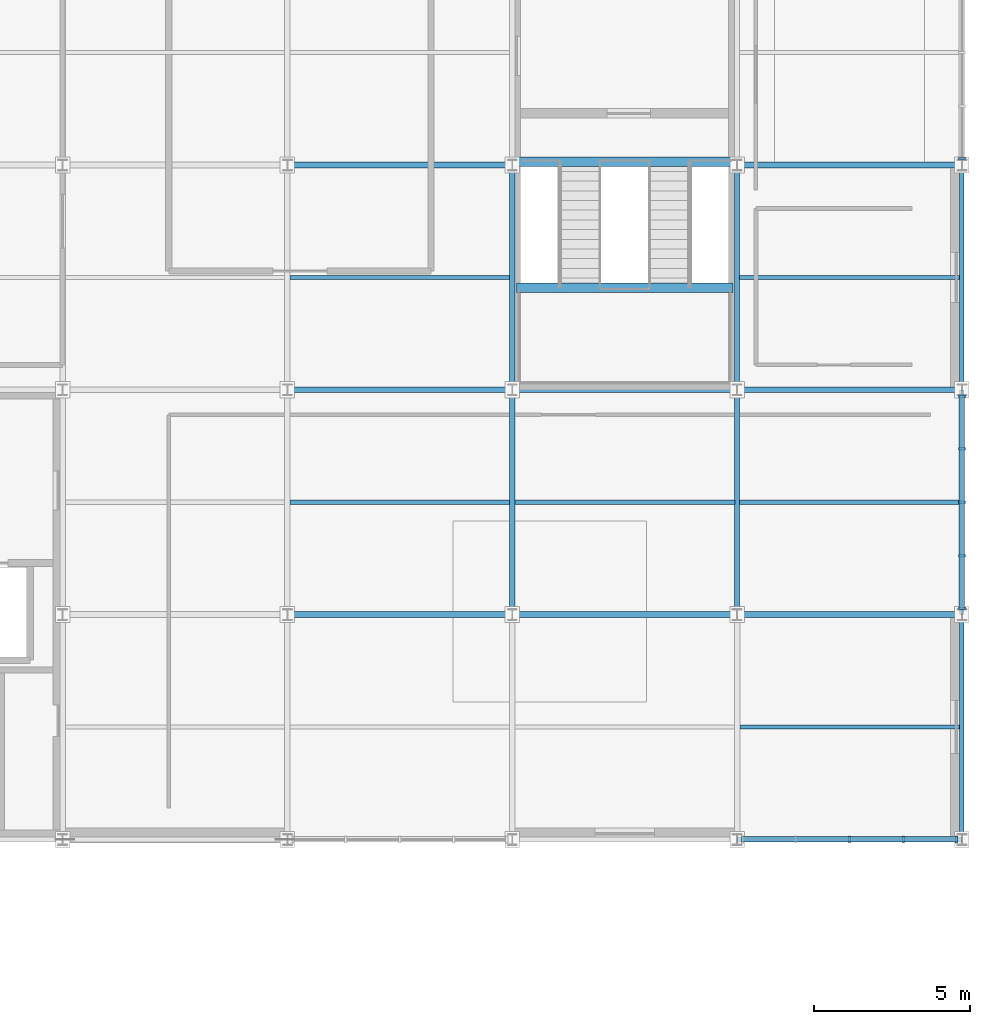
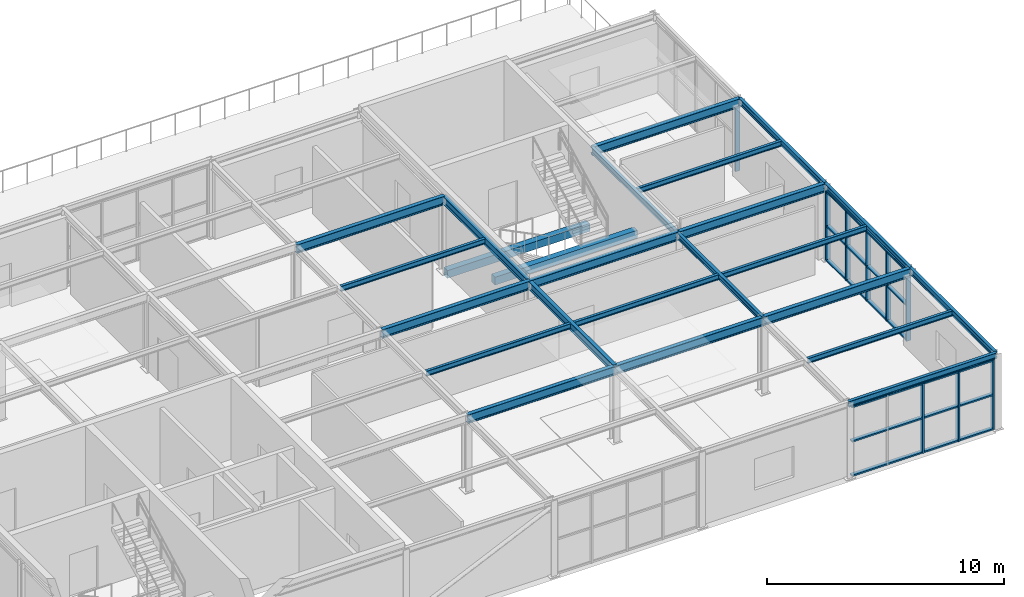
# One storey, part 12 of 30: 24 beams, 15 members, 3 elements without a shape of their own.
"""IFC4 building model written with IfcOpenShell, lengths in metres."""

from ifc_helpers import new_model, si_unit, direction, frame, origin, origin_2d, place, context, subcontext, project, spatial, rectangle, i_section, extrude, material, material_profile, profile_set, type_object, element, aggregate, save


model = new_model("IFC4")

# Units and contexts
model_context = context("Model", 3, precision=1e-05, world=origin(), true_north=direction((0.0, 1.0)))
body_context = subcontext(model_context, "Body", "Model", "MODEL_VIEW")
ifc_project = project(units=[si_unit("LENGTHUNIT", "METRE"), si_unit("AREAUNIT", "SQUARE_METRE"), si_unit("VOLUMEUNIT", "CUBIC_METRE"), si_unit("PLANEANGLEUNIT", "RADIAN"), si_unit("MASSUNIT", "GRAM", prefix="KILO")], contexts=[model_context])

# Site, building, storey
site_placement = place(None, origin())
site = spatial("IfcSite", under=ifc_project, at=site_placement, CompositionType="ELEMENT")
building_placement = place(site_placement, origin())
building = spatial("IfcBuilding", under=site, at=building_placement, Name="Leyfeld Transit Interchange", CompositionType="ELEMENT")
storey_placement = place(building_placement, frame((0.0, 0.0, 13.800048828125)))
storey = spatial("IfcBuildingStorey", under=building, at=storey_placement, Name="L03", CompositionType="ELEMENT", Elevation=13.800048828125)

# Beams
ifc_material_1 = material(Name="Concrete C35/45", Category="concrete")
ifc_material_profile_1 = material_profile(ifc_material_1, rectangle(XDim=0.300048828125, YDim=0.39990234375, at=origin_2d()), Name="RC 400x300")
ifc_profile_set_1 = profile_set([ifc_material_profile_1], Name="Concrete C35/45")
beam_type_1 = type_object("IfcBeamType", Name="BM-RC-400x300", PredefinedType="LINTEL", material=ifc_profile_set_1)
for number, where, z_axis, x_axis, name in (
    (1, (165.735107421875, 79.300048828125, -0.199951171875), (1.0, 0.0, 0.0), (0.0, 1.0, 0.0), "Core K5 Floor Landing Corbel L03"),
    (2, (165.735107421875, 75.27001953125, 1.89990234375), (1.0, 0.0, 0.0), (0.0, 1.0, 0.0), "Stair ST-05 L03 Half-Landing Corbel"),
):
    element("IfcBeam", number, at=place(storey_placement, frame(where, z_axis=z_axis, x_axis=x_axis)), inside=storey, type_object=beam_type_1, Name=name, PredefinedType="LINTEL", context=body_context, shape_type="SweptSolid", body=[
        extrude(rectangle(XDim=0.300048828125, YDim=0.39990234375, at=origin_2d()), origin(), (0.0, 0.0, 1.0), 6.929931640625),
    ])
ifc_material_2 = material(Name="Steel S355J2", Category="steel")
ifc_material_profile_2 = material_profile(ifc_material_2, i_section(OverallWidth=0.135009765625, OverallDepth=0.27001953125, WebThickness=0.006591796875, FlangeThickness=0.01025390625, FilletRadius=0.014892578125, at=origin_2d()), Name="IPE 270")
ifc_profile_set_2 = profile_set([ifc_material_profile_2], Name="Steel S355J2")
beam_type_2 = type_object("IfcBeamType", Name="BM-STL-IPE270", PredefinedType="BEAM", material=ifc_profile_set_2)
beam_1_placement = place(storey_placement, frame((158.487060546875, 68.39990234375, 3.784912109375), z_axis=(1.0, 0.0, 0.0), x_axis=(0.0, 1.0, 0.0)))
element("IfcBeam", 3, at=beam_1_placement, inside=storey, type_object=beam_type_2, Name="Beam BM-L03-1585_0684-1655_0684", PredefinedType="BEAM", context=body_context, shape_type="SweptSolid", body=[
    extrude(i_section(OverallWidth=0.135009765625, OverallDepth=0.27001953125, WebThickness=0.006591796875, FlangeThickness=0.01025390625, FilletRadius=0.014892578125, at=origin_2d()), origin(), (0.0, 0.0, 1.0), 7.02587890625),
])
beam_2_placement = place(storey_placement, frame((165.68701171875, 68.39990234375, 3.784912109375), z_axis=(1.0, 0.0, 0.0), x_axis=(0.0, 1.0, 0.0)))
element("IfcBeam", 4, at=beam_2_placement, inside=storey, type_object=beam_type_2, Name="Beam BM-L03-1657_0684-1727_0684", PredefinedType="BEAM", context=body_context, shape_type="SweptSolid", body=[
    extrude(i_section(OverallWidth=0.135009765625, OverallDepth=0.27001953125, WebThickness=0.006591796875, FlangeThickness=0.01025390625, FilletRadius=0.014892578125, at=origin_2d()), origin(), (0.0, 0.0, 1.0), 7.041015625),
])
beam_3_placement = place(storey_placement, frame((158.487060546875, 75.60009765625, 3.784912109375), z_axis=(1.0, 0.0, 0.0), x_axis=(0.0, 1.0, 0.0)))
element("IfcBeam", 5, at=beam_3_placement, inside=storey, type_object=beam_type_2, Name="Beam BM-L03-1585_0756-1655_0756", PredefinedType="BEAM", context=body_context, shape_type="SweptSolid", body=[
    extrude(i_section(OverallWidth=0.135009765625, OverallDepth=0.27001953125, WebThickness=0.006591796875, FlangeThickness=0.01025390625, FilletRadius=0.014892578125, at=origin_2d()), origin(), (0.0, 0.0, 1.0), 7.02587890625),
])
beam_4_placement = place(storey_placement, frame((172.886962890625, 61.199951171875, 3.764892578125), z_axis=(1.0, 0.0, 0.0), x_axis=(0.0, 1.0, 0.0)))
element("IfcBeam", 6, at=beam_4_placement, inside=storey, type_object=beam_type_2, Name="Beam BM-L03-1729_0612-1799_0612", PredefinedType="BEAM", context=body_context, shape_type="SweptSolid", body=[
    extrude(i_section(OverallWidth=0.135009765625, OverallDepth=0.27001953125, WebThickness=0.006591796875, FlangeThickness=0.01025390625, FilletRadius=0.014892578125, at=origin_2d()), origin(), (0.0, 0.0, 1.0), 7.041015625),
])
for number, where, z_axis, x_axis, name in (
    (7, (172.8720703125, 68.39990234375, 3.764892578125), (1.0, 0.0, 0.0), (0.0, 1.0, 0.0), "Beam BM-L03-1729_0684-1799_0684"),
    (8, (172.8720703125, 75.60009765625, 3.764892578125), (1.0, 0.0, 0.0), (0.0, 1.0, 0.0), "Beam BM-L03-1729_0756-1799_0756"),
):
    element("IfcBeam", number, at=place(storey_placement, frame(where, z_axis=z_axis, x_axis=x_axis)), inside=storey, type_object=beam_type_2, Name=name, PredefinedType="BEAM", context=body_context, shape_type="SweptSolid", body=[
        extrude(i_section(OverallWidth=0.135009765625, OverallDepth=0.27001953125, WebThickness=0.006591796875, FlangeThickness=0.01025390625, FilletRadius=0.014892578125, at=origin_2d()), origin(), (0.0, 0.0, 1.0), 7.055908203125),
    ])
ifc_material_profile_3 = material_profile(ifc_material_2, i_section(OverallWidth=0.14990234375, OverallDepth=0.300048828125, WebThickness=0.007080078125, FlangeThickness=0.0107421875, FilletRadius=0.014892578125, at=origin_2d()), Name="IPE 300")
ifc_profile_set_3 = profile_set([ifc_material_profile_3], Name="Steel S355J2")
beam_type_3 = type_object("IfcBeamType", Name="BM-STL-IPE300", PredefinedType="SPANDREL", material=ifc_profile_set_3)
for number, where, z_axis, x_axis, name in (
    (9, (172.800048828125, 64.800048828125, 3.75), (0.0, 1.0, 0.0), (-1.0, 0.0, 0.0), "Beam BM-L03-1728_0648-1728_0720"),
    (10, (172.800048828125, 72.0, 3.75), (0.0, 1.0, 0.0), (-1.0, 0.0, 0.0), "Beam BM-L03-1728_0720-1728_0792"),
    (11, (180.0, 57.60009765625, 3.75), (0.0, 1.0, 0.0), (-1.0, 0.0, 0.0), "Beam BM-L03-1800_0576-1800_0648"),
    (12, (180.0, 64.800048828125, 3.75), (0.0, 1.0, 0.0), (-1.0, 0.0, 0.0), "Beam BM-L03-1800_0648-1800_0720"),
    (13, (180.0, 72.0, 3.75), (0.0, 1.0, 0.0), (-1.0, 0.0, 0.0), "Beam BM-L03-1800_0720-1800_0792"),
    (14, (172.800048828125, 57.60009765625, 3.75), (1.0, 0.0, 0.0), (0.0, 1.0, 0.0), "Beam BM-L03-1728_0576-1800_0576"),
):
    element("IfcBeam", number, at=place(storey_placement, frame(where, z_axis=z_axis, x_axis=x_axis)), inside=storey, type_object=beam_type_3, Name=name, PredefinedType="SPANDREL", context=body_context, shape_type="SweptSolid", body=[
        extrude(i_section(OverallWidth=0.14990234375, OverallDepth=0.300048828125, WebThickness=0.007080078125, FlangeThickness=0.0107421875, FilletRadius=0.014892578125, at=origin_2d()), origin(), (0.0, 0.0, 1.0), 7.199951171875),
    ])
ifc_material_profile_4 = material_profile(ifc_material_2, i_section(OverallWidth=0.179931640625, OverallDepth=0.39990234375, WebThickness=0.008544921875, FlangeThickness=0.013427734375, FilletRadius=0.02099609375, at=origin_2d()), Name="IPE 400")
ifc_profile_set_4 = profile_set([ifc_material_profile_4], Name="Steel S355J2")
beam_type_4 = type_object("IfcBeamType", Name="BM-STL-IPE400", PredefinedType="BEAM", material=ifc_profile_set_4)
for number, where, z_axis, x_axis, name in (
    (15, (165.60009765625, 64.800048828125, 3.719970703125), (0.0, 1.0, 0.0), (-1.0, 0.0, 0.0), "Beam BM-L03-1656_0648-1656_0720"),
    (16, (165.60009765625, 72.0, 3.719970703125), (0.0, 1.0, 0.0), (-1.0, 0.0, 0.0), "Beam BM-L03-1656_0720-1656_0792"),
):
    element("IfcBeam", number, at=place(storey_placement, frame(where, z_axis=z_axis, x_axis=x_axis)), inside=storey, type_object=beam_type_4, Name=name, PredefinedType="BEAM", context=body_context, shape_type="SweptSolid", body=[
        extrude(i_section(OverallWidth=0.179931640625, OverallDepth=0.39990234375, WebThickness=0.008544921875, FlangeThickness=0.013427734375, FilletRadius=0.02099609375, at=origin_2d()), origin(), (0.0, 0.0, 1.0), 7.199951171875),
    ])
ifc_material_profile_5 = material_profile(ifc_material_2, i_section(OverallWidth=0.18994140625, OverallDepth=0.449951171875, WebThickness=0.009521484375, FlangeThickness=0.0146484375, FilletRadius=0.02099609375, at=origin_2d()), Name="IPE 450")
ifc_profile_set_5 = profile_set([ifc_material_profile_5], Name="Steel S355J2")
beam_type_5 = type_object("IfcBeamType", Name="BM-STL-IPE450", PredefinedType="BEAM", material=ifc_profile_set_5)
beam_5_placement = place(storey_placement, frame((158.39990234375, 64.800048828125, 3.675048828125), z_axis=(1.0, 0.0, 0.0), x_axis=(0.0, 1.0, 0.0)))
element("IfcBeam", 17, at=beam_5_placement, inside=storey, type_object=beam_type_5, Name="Beam BM-L03-1584_0648-1656_0648", PredefinedType="BEAM", context=body_context, shape_type="SweptSolid", body=[
    extrude(i_section(OverallWidth=0.18994140625, OverallDepth=0.449951171875, WebThickness=0.009521484375, FlangeThickness=0.0146484375, FilletRadius=0.02099609375, at=origin_2d()), origin(), (0.0, 0.0, 1.0), 7.2001953125),
])
beam_6_placement = place(storey_placement, frame((165.60009765625, 64.800048828125, 3.675048828125), z_axis=(1.0, 0.0, 0.0), x_axis=(0.0, 1.0, 0.0)))
element("IfcBeam", 18, at=beam_6_placement, inside=storey, type_object=beam_type_5, Name="Beam BM-L03-1656_0648-1728_0648", PredefinedType="BEAM", context=body_context, shape_type="SweptSolid", body=[
    extrude(i_section(OverallWidth=0.18994140625, OverallDepth=0.449951171875, WebThickness=0.009521484375, FlangeThickness=0.0146484375, FilletRadius=0.02099609375, at=origin_2d()), origin(), (0.0, 0.0, 1.0), 7.199951171875),
])
beam_7_placement = place(storey_placement, frame((158.39990234375, 72.0, 3.695068359375), z_axis=(1.0, 0.0, 0.0), x_axis=(0.0, 1.0, 0.0)))
element("IfcBeam", 19, at=beam_7_placement, inside=storey, type_object=beam_type_5, Name="Beam BM-L03-1584_0720-1656_0720", PredefinedType="BEAM", context=body_context, shape_type="SweptSolid", body=[
    extrude(i_section(OverallWidth=0.18994140625, OverallDepth=0.449951171875, WebThickness=0.009521484375, FlangeThickness=0.0146484375, FilletRadius=0.02099609375, at=origin_2d()), origin(), (0.0, 0.0, 1.0), 7.2001953125),
])
beam_8_placement = place(storey_placement, frame((165.60009765625, 72.0, 3.695068359375), z_axis=(1.0, 0.0, 0.0), x_axis=(0.0, 1.0, 0.0)))
element("IfcBeam", 20, at=beam_8_placement, inside=storey, type_object=beam_type_5, Name="Beam BM-L03-1656_0720-1728_0720", PredefinedType="BEAM", context=body_context, shape_type="SweptSolid", body=[
    extrude(i_section(OverallWidth=0.18994140625, OverallDepth=0.449951171875, WebThickness=0.009521484375, FlangeThickness=0.0146484375, FilletRadius=0.02099609375, at=origin_2d()), origin(), (0.0, 0.0, 1.0), 7.199951171875),
])
beam_9_placement = place(storey_placement, frame((158.39990234375, 79.199951171875, 3.695068359375), z_axis=(1.0, 0.0, 0.0), x_axis=(0.0, 1.0, 0.0)))
element("IfcBeam", 21, at=beam_9_placement, inside=storey, type_object=beam_type_5, Name="Beam BM-L03-1584_0792-1656_0792", PredefinedType="BEAM", context=body_context, shape_type="SweptSolid", body=[
    extrude(i_section(OverallWidth=0.18994140625, OverallDepth=0.449951171875, WebThickness=0.009521484375, FlangeThickness=0.0146484375, FilletRadius=0.02099609375, at=origin_2d()), origin(), (0.0, 0.0, 1.0), 7.2001953125),
])
for number, where, z_axis, x_axis, name in (
    (22, (172.800048828125, 64.800048828125, 3.675048828125), (1.0, 0.0, 0.0), (0.0, 1.0, 0.0), "Beam BM-L03-1728_0648-1800_0648"),
    (23, (172.800048828125, 72.0, 3.675048828125), (1.0, 0.0, 0.0), (0.0, 1.0, 0.0), "Beam BM-L03-1728_0720-1800_0720"),
    (24, (172.800048828125, 79.199951171875, 3.675048828125), (1.0, 0.0, 0.0), (0.0, 1.0, 0.0), "Beam BM-L03-1728_0792-1800_0792"),
):
    element("IfcBeam", number, at=place(storey_placement, frame(where, z_axis=z_axis, x_axis=x_axis)), inside=storey, type_object=beam_type_5, Name=name, PredefinedType="BEAM", context=body_context, shape_type="SweptSolid", body=[
        extrude(i_section(OverallWidth=0.18994140625, OverallDepth=0.449951171875, WebThickness=0.009521484375, FlangeThickness=0.0146484375, FilletRadius=0.02099609375, at=origin_2d()), origin(), (0.0, 0.0, 1.0), 7.199951171875),
    ])

# Curtain wall, member
ifc_material_3 = material(Name="Anodised aluminium EN AW-6060 T66", Category="aluminium")
curtain_wall_type = type_object("IfcCurtainWallType", Name="CW-SYS-BUS-7200", PredefinedType="NOTDEFINED", material=ifc_material_3)
curtain_wall_1_placement = place(storey_placement, origin())
curtain_wall_1 = element("IfcCurtainWall", 25, at=curtain_wall_1_placement, inside=storey, type_object=curtain_wall_type, Name="Curtain Wall CW-L03-131", PredefinedType="NOTDEFINED")
ifc_material_profile_6 = material_profile(ifc_material_3, rectangle(XDim=0.074951171875, YDim=0.219970703125, at=origin_2d()), Name="CW-M 75x220")
ifc_profile_set_6 = profile_set([ifc_material_profile_6], Name="Anodised aluminium EN AW-6060 T66")
member_type_1 = type_object("IfcMemberType", Name="CW-MUL-180x70", PredefinedType="MULLION", material=ifc_profile_set_6)
member_1_placement = place(storey_placement, frame((180.0, 79.407470703125, 0.0), z_axis=(0.0, 0.0, 1.0), x_axis=(0.0, -1.0, 0.0)))
member_1 = element("IfcMember", 26, at=member_1_placement, type_object=member_type_1, Name="Curtain Mullion CW-L03-131-M05", PredefinedType="MULLION", context=body_context, shape_type="SweptSolid", body=[
    extrude(rectangle(XDim=0.074951171875, YDim=0.219970703125, at=origin_2d()), origin(), (0.0, 0.0, 1.0), 3.599853515625),
])
aggregate(curtain_wall_1, [member_1])

# Curtain wall, members
curtain_wall_2_placement = place(storey_placement, origin())
curtain_wall_2 = element("IfcCurtainWall", 27, at=curtain_wall_2_placement, inside=storey, type_object=curtain_wall_type, Name="Curtain Wall CW-L03-132", PredefinedType="NOTDEFINED")
member_2_placement = place(storey_placement, frame((180.0, 71.79248046875, 0.0), z_axis=(0.0, 0.0, 1.0), x_axis=(0.0, -1.0, 0.0)))
member_2 = element("IfcMember", 28, at=member_2_placement, type_object=member_type_1, Name="Curtain Mullion CW-L03-132-M01", PredefinedType="MULLION", context=body_context, shape_type="SweptSolid", body=[
    extrude(rectangle(XDim=0.074951171875, YDim=0.219970703125, at=origin_2d()), origin(), (0.0, 0.0, 1.0), 3.599853515625),
])
member_3_placement = place(storey_placement, frame((180.0, 70.114990234375, 0.0), z_axis=(0.0, 0.0, 1.0), x_axis=(0.0, -1.0, 0.0)))
member_3 = element("IfcMember", 29, at=member_3_placement, type_object=member_type_1, Name="Curtain Mullion CW-L03-132-M02", PredefinedType="MULLION", context=body_context, shape_type="SweptSolid", body=[
    extrude(rectangle(XDim=0.074951171875, YDim=0.219970703125, at=origin_2d()), origin(), (0.0, 0.0, 1.0), 3.599853515625),
])
member_4_placement = place(storey_placement, frame((180.0, 68.39990234375, 0.0), z_axis=(0.0, 0.0, 1.0), x_axis=(0.0, -1.0, 0.0)))
member_4 = element("IfcMember", 30, at=member_4_placement, type_object=member_type_1, Name="Curtain Mullion CW-L03-132-M03", PredefinedType="MULLION", context=body_context, shape_type="SweptSolid", body=[
    extrude(rectangle(XDim=0.074951171875, YDim=0.219970703125, at=origin_2d()), origin(), (0.0, 0.0, 1.0), 3.599853515625),
])
member_5_placement = place(storey_placement, frame((180.0, 66.68505859375, 0.0), z_axis=(0.0, 0.0, 1.0), x_axis=(0.0, -1.0, 0.0)))
member_5 = element("IfcMember", 31, at=member_5_placement, type_object=member_type_1, Name="Curtain Mullion CW-L03-132-M04", PredefinedType="MULLION", context=body_context, shape_type="SweptSolid", body=[
    extrude(rectangle(XDim=0.074951171875, YDim=0.219970703125, at=origin_2d()), origin(), (0.0, 0.0, 1.0), 3.599853515625),
])
member_6_placement = place(storey_placement, frame((180.0, 65.007568359375, 0.0), z_axis=(0.0, 0.0, 1.0), x_axis=(0.0, -1.0, 0.0)))
member_6 = element("IfcMember", 32, at=member_6_placement, type_object=member_type_1, Name="Curtain Mullion CW-L03-132-M05", PredefinedType="MULLION", context=body_context, shape_type="SweptSolid", body=[
    extrude(rectangle(XDim=0.074951171875, YDim=0.219970703125, at=origin_2d()), origin(), (0.0, 0.0, 1.0), 3.599853515625),
])

curtain_wall_3_placement = place(storey_placement, origin())
curtain_wall_3 = element("IfcCurtainWall", 33, at=curtain_wall_3_placement, inside=storey, type_object=curtain_wall_type, Name="Curtain Wall CW-L03-133", PredefinedType="NOTDEFINED")
member_7_placement = place(storey_placement, frame((179.822509765625, 57.60009765625, 0.0), z_axis=(0.0, 0.0, 1.0), x_axis=(-1.0, 0.0, 0.0)))
member_7 = element("IfcMember", 34, at=member_7_placement, type_object=member_type_1, Name="Curtain Mullion CW-L03-133-M01", PredefinedType="MULLION", context=body_context, shape_type="SweptSolid", body=[
    extrude(rectangle(XDim=0.074951171875, YDim=0.219970703125, at=origin_2d()), origin(), (0.0, 0.0, 1.0), 3.599853515625),
])
member_8_placement = place(storey_placement, frame((178.1298828125, 57.60009765625, 0.0), z_axis=(0.0, 0.0, 1.0), x_axis=(-1.0, 0.0, 0.0)))
member_8 = element("IfcMember", 35, at=member_8_placement, type_object=member_type_1, Name="Curtain Mullion CW-L03-133-M02", PredefinedType="MULLION", context=body_context, shape_type="SweptSolid", body=[
    extrude(rectangle(XDim=0.074951171875, YDim=0.219970703125, at=origin_2d()), origin(), (0.0, 0.0, 1.0), 3.599853515625),
])
member_9_placement = place(storey_placement, frame((176.39990234375, 57.60009765625, 0.0), z_axis=(0.0, 0.0, 1.0), x_axis=(-1.0, 0.0, 0.0)))
member_9 = element("IfcMember", 36, at=member_9_placement, type_object=member_type_1, Name="Curtain Mullion CW-L03-133-M03", PredefinedType="MULLION", context=body_context, shape_type="SweptSolid", body=[
    extrude(rectangle(XDim=0.074951171875, YDim=0.219970703125, at=origin_2d()), origin(), (0.0, 0.0, 1.0), 3.599853515625),
])

# Member
ifc_material_profile_7 = material_profile(ifc_material_3, rectangle(XDim=0.179931640625, YDim=0.074951171875, at=origin_2d()), Name="CW-TRN-160x70")
ifc_profile_set_7 = profile_set([ifc_material_profile_7], Name="Anodised aluminium EN AW-6060 T66")
member_type_2 = type_object("IfcMemberType", Name="CW-TRN-160x70", PredefinedType="USERDEFINED", material=ifc_profile_set_7)
member_10_placement = place(storey_placement, frame((180.0, 71.830078125, 0.037353515625), z_axis=(0.0, -1.0, 0.0), x_axis=(1.0, 0.0, 0.0)))
member_10 = element("IfcMember", 37, at=member_10_placement, type_object=member_type_2, Name="Curtain Transom CW-L03-132-T01", ObjectType="TRANSOM", PredefinedType="USERDEFINED", context=body_context, shape_type="SweptSolid", body=[
    extrude(rectangle(XDim=0.179931640625, YDim=0.074951171875, at=origin_2d()), origin(), (0.0, 0.0, 1.0), 6.860107421875),
])

member_11_placement = place(storey_placement, frame((180.0, 71.830078125, 1.800048828125), z_axis=(0.0, -1.0, 0.0), x_axis=(1.0, 0.0, 0.0)))
member_11 = element("IfcMember", 38, at=member_11_placement, type_object=member_type_2, Name="Curtain Transom CW-L03-132-T02", ObjectType="TRANSOM", PredefinedType="USERDEFINED", context=body_context, shape_type="SweptSolid", body=[
    extrude(rectangle(XDim=0.179931640625, YDim=0.074951171875, at=origin_2d()), origin(), (0.0, 0.0, 1.0), 6.860107421875),
])

member_12_placement = place(storey_placement, frame((180.0, 71.830078125, 3.5625), z_axis=(0.0, -1.0, 0.0), x_axis=(1.0, 0.0, 0.0)))
member_12 = element("IfcMember", 39, at=member_12_placement, type_object=member_type_2, Name="Curtain Transom CW-L03-132-T03", ObjectType="TRANSOM", PredefinedType="USERDEFINED", context=body_context, shape_type="SweptSolid", body=[
    extrude(rectangle(XDim=0.179931640625, YDim=0.074951171875, at=origin_2d()), origin(), (0.0, 0.0, 1.0), 6.860107421875),
])

aggregate(curtain_wall_2, [member_2, member_3, member_4, member_5, member_6, member_10, member_11, member_12])

member_13_placement = place(storey_placement, frame((179.860107421875, 57.60009765625, 0.037353515625), z_axis=(-1.0, 0.0, 0.0), x_axis=(0.0, -1.0, 0.0)))
member_13 = element("IfcMember", 40, at=member_13_placement, type_object=member_type_2, Name="Curtain Transom CW-L03-133-T01", ObjectType="TRANSOM", PredefinedType="USERDEFINED", context=body_context, shape_type="SweptSolid", body=[
    extrude(rectangle(XDim=0.179931640625, YDim=0.074951171875, at=origin_2d()), origin(), (0.0, 0.0, 1.0), 6.920166015625),
])

member_14_placement = place(storey_placement, frame((179.860107421875, 57.60009765625, 1.800048828125), z_axis=(-1.0, 0.0, 0.0), x_axis=(0.0, -1.0, 0.0)))
member_14 = element("IfcMember", 41, at=member_14_placement, type_object=member_type_2, Name="Curtain Transom CW-L03-133-T02", ObjectType="TRANSOM", PredefinedType="USERDEFINED", context=body_context, shape_type="SweptSolid", body=[
    extrude(rectangle(XDim=0.179931640625, YDim=0.074951171875, at=origin_2d()), origin(), (0.0, 0.0, 1.0), 6.920166015625),
])

member_15_placement = place(storey_placement, frame((179.860107421875, 57.60009765625, 3.5625), z_axis=(-1.0, 0.0, 0.0), x_axis=(0.0, -1.0, 0.0)))
member_15 = element("IfcMember", 42, at=member_15_placement, type_object=member_type_2, Name="Curtain Transom CW-L03-133-T03", ObjectType="TRANSOM", PredefinedType="USERDEFINED", context=body_context, shape_type="SweptSolid", body=[
    extrude(rectangle(XDim=0.179931640625, YDim=0.074951171875, at=origin_2d()), origin(), (0.0, 0.0, 1.0), 6.920166015625),
])

aggregate(curtain_wall_3, [member_7, member_8, member_9, member_13, member_14, member_15])

save(model, "model.ifc")
